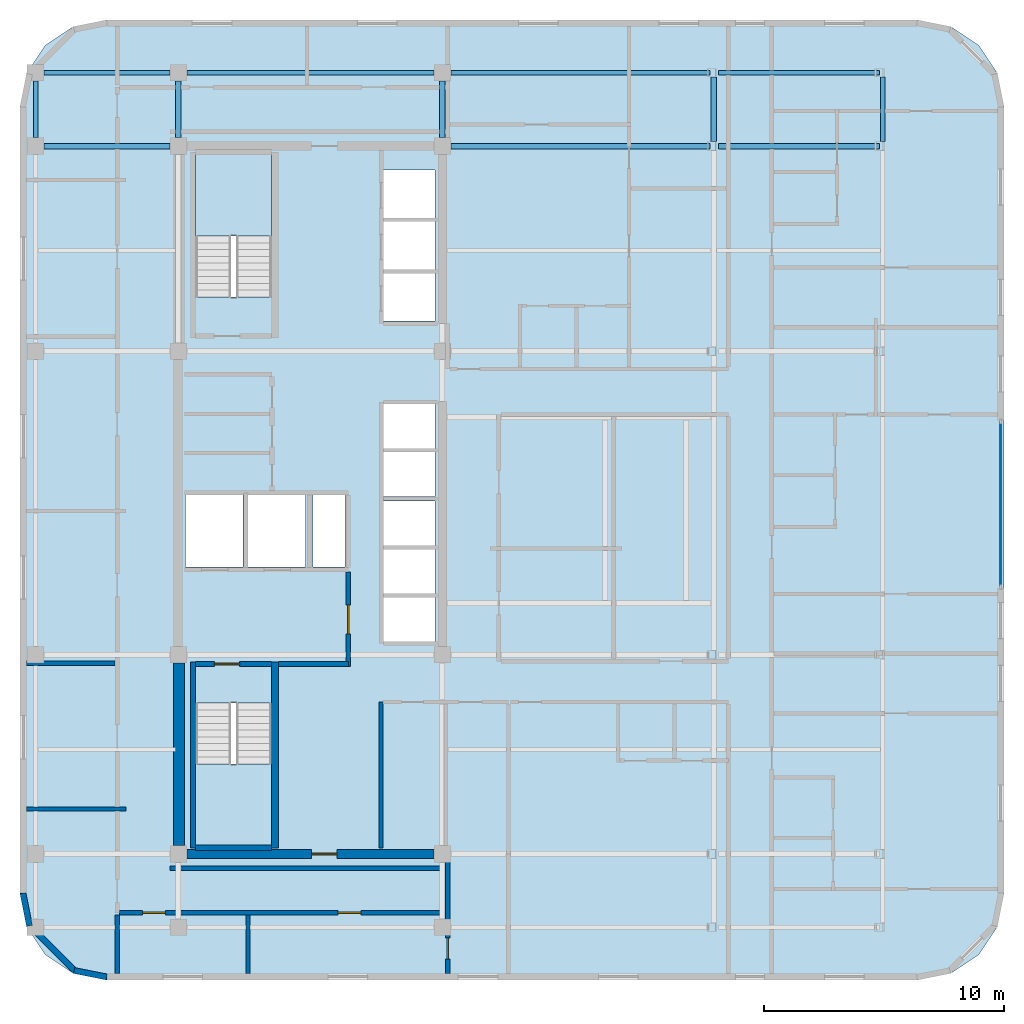
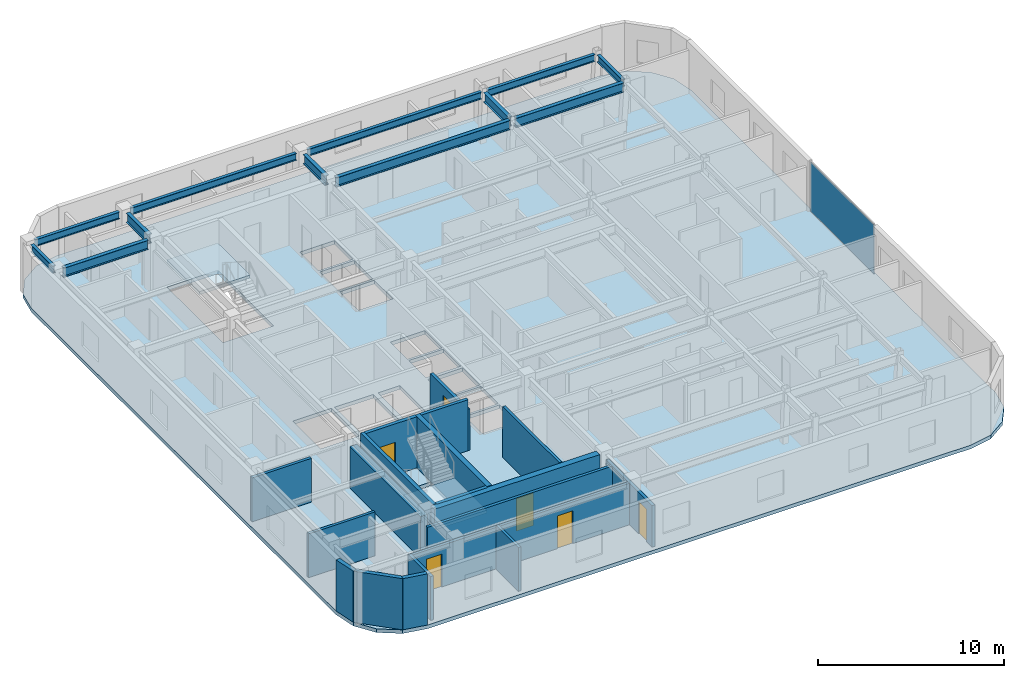
# One storey, part 3 of 9: 19 walls, 12 beams, 6 doors, 3 slabs, 1 plate, 6 openings, 3 elements without a shape of their own.
"""IFC4 building model written with IfcOpenShell, lengths in metres."""

from ifc_helpers import new_model, si_unit, direction, frame, frame_2d, origin, origin_2d, place, context, subcontext, project, spatial, polyline, rectangle, i_section, outline, extrude, material, layer, layer_set, material_profile, profile_set, type_object, element, fill, aggregate, save


model = new_model("IFC4")

# Units and contexts
model_context = context("Model", 3, precision=1e-05, world=origin(), true_north=direction((0.0, 1.0)))
body_context = subcontext(model_context, "Body", "Model", "MODEL_VIEW")
ifc_project = project(units=[si_unit("LENGTHUNIT", "METRE"), si_unit("AREAUNIT", "SQUARE_METRE"), si_unit("VOLUMEUNIT", "CUBIC_METRE"), si_unit("PLANEANGLEUNIT", "RADIAN"), si_unit("MASSUNIT", "GRAM", prefix="KILO")], contexts=[model_context])

# Site, building, storey
site_placement = place(None, origin())
site = spatial("IfcSite", under=ifc_project, at=site_placement, CompositionType="ELEMENT")
building_placement = place(site_placement, origin())
building = spatial("IfcBuilding", under=site, at=building_placement, Name="Ochreholt Gables", CompositionType="ELEMENT")
storey_placement = place(building_placement, frame((0.0, 0.0, 184.800048828125)))
storey = spatial("IfcBuildingStorey", under=building, at=storey_placement, Name="L48", CompositionType="ELEMENT", Elevation=184.800048828125)

# Beams
ifc_material_1 = material(Name="Steel CSA G40.21 350W", Category="steel")
ifc_material_profile_1 = material_profile(ifc_material_1, i_section(OverallWidth=0.22900390625, OverallDepth=0.612060546875, WebThickness=0.011962890625, FlangeThickness=0.01953125, at=origin_2d()), Name="W610X125")
ifc_profile_set_1 = profile_set([ifc_material_profile_1], Name="Steel CSA G40.21 350W")
beam_type_1 = type_object("IfcBeamType", Name="BM-G-W610B", PredefinedType="BEAM", material=ifc_profile_set_1)
beam_1_placement = place(storey_placement, frame((18.599609375, 38.75, 3.053955078125), z_axis=(1.0, 0.0, 0.0), x_axis=(0.0, 1.0, 0.0)))
element("IfcBeam", 1, at=beam_1_placement, inside=storey, type_object=beam_type_1, Name="L48 Beam TBG-L48-W3C1-Y5", PredefinedType="BEAM", context=body_context, shape_type="SweptSolid", body=[
    extrude(i_section(OverallWidth=0.22900390625, OverallDepth=0.612060546875, WebThickness=0.011962890625, FlangeThickness=0.01953125, at=origin_2d()), origin(), (0.0, 0.0, 1.0), 5.250732421875),
])
beam_2_placement = place(storey_placement, frame((35.549560546875, 38.75, 3.053955078125), z_axis=(1.0, 0.0, 0.0), x_axis=(0.0, 1.0, 0.0)))
element("IfcBeam", 2, at=beam_2_placement, inside=storey, type_object=beam_type_1, Name="L48 Beam TBG-L48-C2EM-Y5", PredefinedType="BEAM", context=body_context, shape_type="SweptSolid", body=[
    extrude(i_section(OverallWidth=0.22900390625, OverallDepth=0.612060546875, WebThickness=0.011962890625, FlangeThickness=0.01953125, at=origin_2d()), origin(), (0.0, 0.0, 1.0), 10.802734375),
])
beam_3_placement = place(storey_placement, frame((46.70751953125, 38.75, 3.053955078125), z_axis=(1.0, 0.0, 0.0), x_axis=(0.0, 1.0, 0.0)))
element("IfcBeam", 3, at=beam_3_placement, inside=storey, type_object=beam_type_1, Name="L48 Beam TBG-L48-EMEE-Y5", PredefinedType="BEAM", context=body_context, shape_type="SweptSolid", body=[
    extrude(i_section(OverallWidth=0.22900390625, OverallDepth=0.612060546875, WebThickness=0.011962890625, FlangeThickness=0.01953125, at=origin_2d()), origin(), (0.0, 0.0, 1.0), 6.698974609375),
])
for number, where, z_axis, x_axis, name in (
    (4, (24.199951171875, 39.099609375, 3.053955078125), (0.0, 1.0, 0.0), (-1.0, 0.0, 0.0), "L48 Beam TBN-L48-C1-Y5Y6"),
    (5, (35.199951171875, 39.099609375, 3.053955078125), (0.0, 1.0, 0.0), (-1.0, 0.0, 0.0), "L48 Beam TBN-L48-C2-Y5Y6"),
):
    element("IfcBeam", number, at=place(storey_placement, frame(where, z_axis=z_axis, x_axis=x_axis)), inside=storey, type_object=beam_type_1, Name=name, PredefinedType="BEAM", context=body_context, shape_type="SweptSolid", body=[
        extrude(i_section(OverallWidth=0.22900390625, OverallDepth=0.612060546875, WebThickness=0.011962890625, FlangeThickness=0.01953125, at=origin_2d()), origin(), (0.0, 0.0, 1.0), 2.350830078125),
    ])
beam_4_placement = place(storey_placement, frame((46.512939453125, 38.927490234375, 3.053955078125), z_axis=(0.0, 1.0, 0.0), x_axis=(-1.0, 0.0, 0.0)))
element("IfcBeam", 6, at=beam_4_placement, inside=storey, type_object=beam_type_1, Name="L48 Beam TBN-L48-EM-Y5Y6", PredefinedType="BEAM", context=body_context, shape_type="SweptSolid", body=[
    extrude(i_section(OverallWidth=0.22900390625, OverallDepth=0.612060546875, WebThickness=0.011962890625, FlangeThickness=0.01953125, at=origin_2d()), origin(), (0.0, 0.0, 1.0), 2.69482421875),
])
ifc_material_profile_2 = material_profile(ifc_material_1, i_section(OverallWidth=0.19189453125, OverallDepth=0.462890625, WebThickness=0.010498046875, FlangeThickness=0.017578125, at=origin_2d()), Name="W460X89")
ifc_profile_set_2 = profile_set([ifc_material_profile_2], Name="Steel CSA G40.21 350W")
beam_type_2 = type_object("IfcBeamType", Name="BM-SP-W460A", PredefinedType="SPANDREL", material=ifc_profile_set_2)
beam_5_placement = place(storey_placement, frame((18.599609375, 41.800048828125, 3.12841796875), z_axis=(1.0, 0.0, 0.0), x_axis=(0.0, 1.0, 0.0)))
element("IfcBeam", 7, at=beam_5_placement, inside=storey, type_object=beam_type_2, Name="L48 Beam TBG-L48-W3C1-Y6", PredefinedType="SPANDREL", context=body_context, shape_type="SweptSolid", body=[
    extrude(i_section(OverallWidth=0.19189453125, OverallDepth=0.462890625, WebThickness=0.010498046875, FlangeThickness=0.017578125, at=origin_2d()), origin(), (0.0, 0.0, 1.0), 5.250732421875),
])
beam_6_placement = place(storey_placement, frame((24.549560546875, 41.800048828125, 3.12841796875), z_axis=(1.0, 0.0, 0.0), x_axis=(0.0, 1.0, 0.0)))
element("IfcBeam", 8, at=beam_6_placement, inside=storey, type_object=beam_type_2, Name="L48 Beam TBG-L48-C1C2-Y6", PredefinedType="SPANDREL", context=body_context, shape_type="SweptSolid", body=[
    extrude(i_section(OverallWidth=0.19189453125, OverallDepth=0.462890625, WebThickness=0.010498046875, FlangeThickness=0.017578125, at=origin_2d()), origin(), (0.0, 0.0, 1.0), 10.30078125),
])
beam_7_placement = place(storey_placement, frame((35.549560546875, 41.800048828125, 3.12841796875), z_axis=(1.0, 0.0, 0.0), x_axis=(0.0, 1.0, 0.0)))
element("IfcBeam", 9, at=beam_7_placement, inside=storey, type_object=beam_type_2, Name="L48 Beam TBG-L48-C2EM-Y6", PredefinedType="SPANDREL", context=body_context, shape_type="SweptSolid", body=[
    extrude(i_section(OverallWidth=0.19189453125, OverallDepth=0.462890625, WebThickness=0.010498046875, FlangeThickness=0.017578125, at=origin_2d()), origin(), (0.0, 0.0, 1.0), 10.802734375),
])
beam_8_placement = place(storey_placement, frame((46.70751953125, 41.800048828125, 3.12841796875), z_axis=(1.0, 0.0, 0.0), x_axis=(0.0, 1.0, 0.0)))
element("IfcBeam", 10, at=beam_8_placement, inside=storey, type_object=beam_type_2, Name="L48 Beam TBG-L48-EMEE-Y6", PredefinedType="SPANDREL", context=body_context, shape_type="SweptSolid", body=[
    extrude(i_section(OverallWidth=0.19189453125, OverallDepth=0.462890625, WebThickness=0.010498046875, FlangeThickness=0.017578125, at=origin_2d()), origin(), (0.0, 0.0, 1.0), 6.698974609375),
])
beam_9_placement = place(storey_placement, frame((18.25, 39.099609375, 3.12841796875), z_axis=(0.0, 1.0, 0.0), x_axis=(-1.0, 0.0, 0.0)))
element("IfcBeam", 11, at=beam_9_placement, inside=storey, type_object=beam_type_2, Name="L48 Beam TBN-L48-W3-Y5Y6", PredefinedType="SPANDREL", context=body_context, shape_type="SweptSolid", body=[
    extrude(i_section(OverallWidth=0.19189453125, OverallDepth=0.462890625, WebThickness=0.010498046875, FlangeThickness=0.017578125, at=origin_2d()), origin(), (0.0, 0.0, 1.0), 2.350830078125),
])
beam_10_placement = place(storey_placement, frame((53.5556640625, 38.927490234375, 3.12841796875), z_axis=(0.0, 1.0, 0.0), x_axis=(-1.0, 0.0, 0.0)))
element("IfcBeam", 12, at=beam_10_placement, inside=storey, type_object=beam_type_2, Name="L48 Beam TBN-L48-EE-Y5Y6", PredefinedType="SPANDREL", context=body_context, shape_type="SweptSolid", body=[
    extrude(i_section(OverallWidth=0.19189453125, OverallDepth=0.462890625, WebThickness=0.010498046875, FlangeThickness=0.017578125, at=origin_2d()), origin(), (0.0, 0.0, 1.0), 2.69482421875),
])

# Curtain wall, plate
ifc_material_2 = material(Name="Unitised Aluminium and Triple Glazing", Category="aluminium")
ifc_layer_1 = layer(ifc_material_2, 0.199951171875, Name="Unitised Aluminium and Triple Glazing")
ifc_layer_set_1 = layer_set([ifc_layer_1], Name="Unitised Aluminium and Triple Glazing")
curtain_wall_type = type_object("IfcCurtainWallType", Name="CW-SYS4", PredefinedType="NOTDEFINED", material=ifc_layer_set_1)
curtain_wall_placement = place(storey_placement, origin())
curtain_wall = element("IfcCurtainWall", 13, at=curtain_wall_placement, inside=storey, type_object=curtain_wall_type, Name="L48 East Unitised Curtain Wall", PredefinedType="NOTDEFINED")
ifc_material_3 = material(Name="Triple Low-E Insulating Glass", Category="glass")
ifc_layer_2 = layer(ifc_material_3, 0.035888671875, Name="Triple Low-E Insulating Glass")
ifc_layer_set_2 = layer_set([ifc_layer_2], Name="Triple Low-E Insulating Glass")
plate_type = type_object("IfcPlateType", Name="CW-PNL-36", PredefinedType="CURTAIN_PANEL", material=ifc_layer_set_2)
plate_placement = place(storey_placement, frame((58.4599609375, 23.824951171875, 0.06494140625), z_axis=(0.0, 0.0, 1.0), x_axis=(0.0, 1.0, 0.0)))
plate = element("IfcPlate", 14, at=plate_placement, type_object=plate_type, Name="CW-4 panel 1.1", PredefinedType="CURTAIN_PANEL", context=body_context, shape_type="SweptSolid", body=[
    extrude(rectangle(XDim=6.820068359375, YDim=0.035888671875, at=origin_2d()), origin(), (0.0, 0.0, 1.0), 3.22998046875),
])
aggregate(curtain_wall, [plate])

# Stair, slab
ifc_material_4 = material(Name="Concrete 40 MPa", Category="concrete")
stair_type_1 = type_object("IfcStairType", Name="STAIR-CORE-ST-1", PredefinedType="HALF_TURN_STAIR", material=ifc_material_4)
stair_1_placement = place(storey_placement, origin())
stair_1 = element("IfcStair", 15, at=stair_1_placement, inside=storey, type_object=stair_type_1, Name="L48 Core Exit Stair 1", PredefinedType="HALF_TURN_STAIR")
ifc_layer_3 = layer(ifc_material_4, 0.199951171875, Name="Concrete 40 MPa")
ifc_layer_set_3 = layer_set([ifc_layer_3], Name="Concrete 40 MPa")
slab_type_1 = type_object("IfcSlabType", Name="LANDING-RC200", PredefinedType="LANDING", material=ifc_layer_set_3)
slab_1_placement = place(storey_placement, frame((0.0, 0.0, 1.599853515625)))
slab_1 = element("IfcSlab", 16, at=slab_1_placement, type_object=slab_type_1, Name="ST-1 landing 1", PredefinedType="LANDING", context=body_context, shape_type="SweptSolid", body=[
    extrude(outline(polyline([(24.919921875, 13.001953125), (24.919921875, 9.52001953125), (28.080078125, 9.52001953125), (28.080078125, 13.001953125), (24.919921875, 13.001953125)])), origin(), (0.0, 0.0, 1.0), 0.2001953125),
])
aggregate(stair_1, [slab_1])

stair_type_2 = type_object("IfcStairType", Name="STAIR-CORE-ST-2", PredefinedType="HALF_TURN_STAIR", material=ifc_material_4)
stair_2_placement = place(storey_placement, origin())
stair_2 = element("IfcStair", 17, at=stair_2_placement, inside=storey, type_object=stair_type_2, Name="L48 Core Exit Stair 2", PredefinedType="HALF_TURN_STAIR")
slab_2_placement = place(storey_placement, frame((0.0, 0.0, 1.599853515625)))
slab_2 = element("IfcSlab", 18, at=slab_2_placement, type_object=slab_type_1, Name="ST-2 landing 1", PredefinedType="LANDING", context=body_context, shape_type="SweptSolid", body=[
    extrude(outline(polyline([(28.080078125, 34.998046875), (28.080078125, 38.47998046875), (24.919921875, 38.47998046875), (24.919921875, 34.998046875), (28.080078125, 34.998046875)])), origin(), (0.0, 0.0, 1.0), 0.2001953125),
])
aggregate(stair_2, [slab_2])

# Slab
ifc_layer_4 = layer(ifc_material_4, 0.239990234375, Name="Concrete 40 MPa")
ifc_layer_set_4 = layer_set([ifc_layer_4], Name="Concrete 40 MPa")
slab_type_2 = type_object("IfcSlabType", Name="SLAB-TWR-240", PredefinedType="FLOOR", material=ifc_layer_set_4)
slab_3_placement = place(storey_placement, frame((0.0, 0.0, -0.239990234375)))
element("IfcSlab", 19, at=slab_3_placement, inside=storey, type_object=slab_type_2, Name="L48 Structural Floor Slab", PredefinedType="FLOOR", context=body_context, shape_type="SweptSolid", body=[
    extrude(outline(polyline([(17.60009765625, 7.60009765625), (17.8740234375, 6.222412109375), (18.654296875, 5.054443359375), (19.822265625, 4.27392578125), (21.199951171875, 4.0), (55.0, 4.0), (56.377685546875, 4.27392578125), (57.545654296875, 5.054443359375), (58.325927734375, 6.222412109375), (58.60009765625, 7.60009765625), (58.60009765625, 40.39990234375), (58.325927734375, 41.777587890625), (57.545654296875, 42.945556640625), (56.377685546875, 43.72607421875), (55.0, 44.0), (21.199951171875, 44.0), (19.822265625, 43.72607421875), (18.654296875, 42.945556640625), (17.8740234375, 41.777587890625), (17.60009765625, 40.39990234375), (17.60009765625, 7.60009765625)]), holes=[polyline([(24.919921875, 15.539306640625), (24.919921875, 9.52001953125), (28.080078125, 9.52001953125), (28.080078125, 15.539306640625), (24.919921875, 15.539306640625)]), polyline([(28.080078125, 32.460693359375), (28.080078125, 38.47998046875), (24.919921875, 38.47998046875), (24.919921875, 32.460693359375), (28.080078125, 32.460693359375)]), polyline([(24.5, 21.199951171875), (26.89990234375, 21.199951171875), (26.89990234375, 24.199951171875), (24.5, 24.199951171875), (24.5, 21.199951171875)]), polyline([(27.10009765625, 21.199951171875), (29.5, 21.199951171875), (29.5, 24.199951171875), (27.10009765625, 24.199951171875), (27.10009765625, 21.199951171875)]), polyline([(32.75, 18.10009765625), (34.89990234375, 18.10009765625), (34.89990234375, 19.949951171875), (32.75, 19.949951171875), (32.75, 18.10009765625)]), polyline([(32.75, 20.10009765625), (34.89990234375, 20.10009765625), (34.89990234375, 21.949951171875), (32.75, 21.949951171875), (32.75, 20.10009765625)]), polyline([(32.75, 22.10009765625), (34.89990234375, 22.10009765625), (34.89990234375, 23.949951171875), (32.75, 23.949951171875), (32.75, 22.10009765625)]), polyline([(32.75, 24.14990234375), (34.89990234375, 24.14990234375), (34.89990234375, 26.0), (32.75, 26.0), (32.75, 24.14990234375)]), polyline([(32.75, 26.14990234375), (34.89990234375, 26.14990234375), (34.89990234375, 28.0), (32.75, 28.0), (32.75, 26.14990234375)]), polyline([(32.75, 31.449951171875), (34.89990234375, 31.449951171875), (34.89990234375, 33.449951171875), (32.75, 33.449951171875), (32.75, 31.449951171875)]), polyline([(32.75, 33.60009765625), (34.89990234375, 33.60009765625), (34.89990234375, 35.60009765625), (32.75, 35.60009765625), (32.75, 33.60009765625)]), polyline([(32.75, 35.75), (34.89990234375, 35.75), (34.89990234375, 37.75), (32.75, 37.75), (32.75, 35.75)]), polyline([(29.800048828125, 21.199951171875), (31.14990234375, 21.199951171875), (31.14990234375, 24.199951171875), (29.800048828125, 24.199951171875), (29.800048828125, 21.199951171875)])]), origin(), (0.0, 0.0, 1.0), 0.239990234375),
])

# Wall, opening, door
ifc_material_5 = material(Name="Concrete 50 MPa", Category="concrete")
ifc_layer_5 = layer(ifc_material_5, 0.3798828125, Name="Concrete 50 MPa")
ifc_layer_set_5 = layer_set([ifc_layer_5], Name="Concrete 50 MPa")
wall_type_1 = type_object("IfcWallType", Name="WALL-CSW-380", PredefinedType="SHEAR", material=ifc_layer_set_5)
wall_1_placement = place(storey_placement, frame((24.550048828125, 9.25, 0.0), z_axis=(0.0, 0.0, 1.0), x_axis=(1.0, 0.0, 0.0)))
wall_1 = element("IfcWall", 20, at=wall_1_placement, inside=storey, type_object=wall_type_1, Name="L48 Core South Shear Wall", PredefinedType="SHEAR", context=body_context, shape_type="SweptSolid", body=[
    extrude(rectangle(XDim=10.300048828125, YDim=0.3798828125, at=frame_2d((5.14990234375, 0.0))), origin(), (0.0, 0.0, 1.0), 3.35986328125),
])
opening_1_placement = place(wall_1_placement, frame((5.199951171875, 0.0, 0.0)))
opening_1 = element("IfcOpeningElement", 21, at=opening_1_placement, cuts=wall_1, Name="Opening D-FLB", PredefinedType="OPENING", context=body_context, shape_type="SweptSolid", body=[
    extrude(rectangle(XDim=1.050048828125, YDim=2.14990234375, at=frame_2d((0.52490234375, 1.074951171875))), frame((0.0, 0.199951171875, 0.0), z_axis=(0.0, -1.0, 0.0), x_axis=(1.0, 0.0, 0.0)), (0.0, 0.0, 1.0), 0.39990234375),
])
ifc_material_6 = material(Name="Hollow Metal Steel", Category="steel")
door_type_1 = type_object("IfcDoorType", Name="DR-INT-FLB1050", OperationType="NOTDEFINED", PredefinedType="DOOR", material=ifc_material_6)
door_1_placement = place(opening_1_placement, origin())
door_1 = element("IfcDoor", 22, at=door_1_placement, inside=storey, type_object=door_type_1, Name="L48 Door D-C2CRS-L48", OperationType="SINGLE_SWING_LEFT", OverallHeight=2.14990234375, OverallWidth=1.050048828125, PredefinedType="DOOR", context=body_context, shape_type="SweptSolid", body=[
    extrude(rectangle(XDim=1.050048828125, YDim=2.14990234375, at=frame_2d((0.52490234375, 1.074951171875))), frame((0.0, 0.02490234375, 0.0), z_axis=(0.0, -1.0, 0.0), x_axis=(1.0, 0.0, 0.0)), (0.0, 0.0, 1.0), 0.050048828125),
])
fill(opening_1, door_1)

# Walls
ifc_material_7 = material(Name="Concrete 60 MPa", Category="concrete")
ifc_layer_6 = layer(ifc_material_7, 0.449951171875, Name="Concrete 60 MPa")
ifc_layer_set_6 = layer_set([ifc_layer_6], Name="Concrete 60 MPa")
wall_type_2 = type_object("IfcWallType", Name="WALL-CSW-450", PredefinedType="SHEAR", material=ifc_layer_set_6)
wall_2_placement = place(storey_placement, frame((24.22509765625, 9.60009765625, 0.0), z_axis=(0.0, 0.0, 1.0), x_axis=(0.0, 1.0, 0.0)))
element("IfcWall", 23, at=wall_2_placement, inside=storey, type_object=wall_type_2, Name="L48 Core West Shear Wall WS", PredefinedType="SHEAR", context=body_context, shape_type="SweptSolid", body=[
    extrude(rectangle(XDim=7.599853515625, YDim=0.449951171875, at=frame_2d((3.7998046875, 0.0))), origin(), (0.0, 0.0, 1.0), 2.748046875),
])
ifc_material_8 = material(Name="Precast concrete 40 MPa", Category="concrete")
ifc_layer_7 = layer(ifc_material_8, 0.25, Name="Precast concrete 40 MPa")
ifc_layer_set_7 = layer_set([ifc_layer_7], Name="Precast concrete 40 MPa")
wall_type_3 = type_object("IfcWallType", Name="WALL-EXT-CNR", PredefinedType="SOLIDWALL", material=ifc_layer_set_7)
wall_3_placement = place(storey_placement, frame((17.72412109375, 7.616455078125, 0.0), z_axis=(0.0, 0.0, 1.0), x_axis=(0.195135625965, -0.9807762678, 0.0)))
element("IfcWall", 24, at=wall_3_placement, inside=storey, type_object=wall_type_3, Name="L48 Rounded Corner Wall SW-1", PredefinedType="SOLIDWALL", context=body_context, shape_type="SweptSolid", body=[
    extrude(rectangle(XDim=1.388671875, YDim=0.25, at=frame_2d((0.6943359375, 0.0))), origin(), (0.0, 0.0, 1.0), 3.35986328125),
])
wall_4_placement = place(storey_placement, frame((17.968017578125, 6.304931640625, 0.0), z_axis=(0.0, 0.0, 1.0), x_axis=(0.707106781187, -0.707106781187, 0.0)))
element("IfcWall", 25, at=wall_4_placement, inside=storey, type_object=wall_type_3, Name="L48 Rounded Corner Wall SW-2", PredefinedType="SOLIDWALL", context=body_context, shape_type="SweptSolid", body=[
    extrude(rectangle(XDim=2.7392578125, YDim=0.25, at=frame_2d((1.36962890625, 0.0))), origin(), (0.0, 0.0, 1.0), 3.35986328125),
])
wall_5_placement = place(storey_placement, frame((19.8544921875, 4.39501953125, 0.0), z_axis=(0.0, 0.0, 1.0), x_axis=(0.980809899341, -0.19496651342, 0.0)))
element("IfcWall", 26, at=wall_5_placement, inside=storey, type_object=wall_type_3, Name="L48 Rounded Corner Wall SW-3", PredefinedType="SOLIDWALL", context=body_context, shape_type="SweptSolid", body=[
    extrude(rectangle(XDim=1.388671875, YDim=0.25, at=frame_2d((0.6943359375, 0.0))), origin(), (0.0, 0.0, 1.0), 3.35986328125),
])
ifc_layer_8 = layer(ifc_material_4, 0.199951171875, Name="Concrete 40 MPa")
ifc_layer_set_8 = layer_set([ifc_layer_8], Name="Concrete 40 MPa")
wall_type_4 = type_object("IfcWallType", Name="WALL-INT-CF200", PredefinedType="STANDARD", material=ifc_layer_set_8)
wall_6_placement = place(storey_placement, frame((28.3798828125, 17.169921875, 0.0), z_axis=(0.0, 0.0, 1.0), x_axis=(1.0, 0.0, 0.0)))
element("IfcWall", 27, at=wall_6_placement, inside=storey, type_object=wall_type_4, Name="L48 Interior Wall WI-FFS-L48", PredefinedType="STANDARD", context=body_context, shape_type="SweptSolid", body=[
    extrude(rectangle(XDim=2.900146484375, YDim=0.199951171875, at=frame_2d((1.4501953125, 0.0))), origin(), (0.0, 0.0, 1.0), 3.35986328125),
])

# Wall, opening, door
wall_7_placement = place(storey_placement, frame((31.280029296875, 17.070068359375, 0.0), z_axis=(0.0, 0.0, 1.0), x_axis=(0.0, 1.0, 0.0)))
wall_7 = element("IfcWall", 28, at=wall_7_placement, inside=storey, type_object=wall_type_4, Name="L48 Interior Wall WI-FFE-L48", PredefinedType="STANDARD", context=body_context, shape_type="SweptSolid", body=[
    extrude(rectangle(XDim=3.919921875, YDim=0.199951171875, at=frame_2d((1.9599609375, 0.0))), origin(), (0.0, 0.0, 1.0), 2.72998046875),
])
opening_2_placement = place(wall_7_placement, frame((1.35009765625, 0.0, 0.0)))
opening_2 = element("IfcOpeningElement", 29, at=opening_2_placement, cuts=wall_7, Name="Opening D-FFL", PredefinedType="OPENING", context=body_context, shape_type="SweptSolid", body=[
    extrude(rectangle(XDim=1.199951171875, YDim=2.14990234375, at=frame_2d((0.60009765625, 1.074951171875))), frame((0.0, 0.10986328125, 0.0), z_axis=(0.0, -1.0, 0.0), x_axis=(1.0, 0.0, 0.0)), (0.0, 0.0, 1.0), 0.219970703125),
])
door_type_2 = type_object("IfcDoorType", Name="DR-INT-FFL1200", OperationType="NOTDEFINED", PredefinedType="DOOR", material=ifc_material_6)
door_2_placement = place(opening_2_placement, origin())
door_2 = element("IfcDoor", 30, at=door_2_placement, inside=storey, type_object=door_type_2, Name="L48 Door D-FFL-L48", OperationType="SINGLE_SWING_LEFT", OverallHeight=2.14990234375, OverallWidth=1.199951171875, PredefinedType="DOOR", context=body_context, shape_type="SweptSolid", body=[
    extrude(rectangle(XDim=1.199951171875, YDim=2.14990234375, at=frame_2d((0.60009765625, 1.074951171875))), frame((0.0, 0.02490234375, 0.0), z_axis=(0.0, -1.0, 0.0), x_axis=(1.0, 0.0, 0.0)), (0.0, 0.0, 1.0), 0.050048828125),
])
fill(opening_2, door_2)

# Wall, openings, doors
ifc_material_9 = material(Name="Fire-Rated Gypsum Acoustic Partition", Category="gypsum")
ifc_layer_9 = layer(ifc_material_9, 0.179931640625, Name="Fire-Rated Gypsum Acoustic Partition")
ifc_layer_set_9 = layer_set([ifc_layer_9], Name="Fire-Rated Gypsum Acoustic Partition")
wall_type_5 = type_object("IfcWallType", Name="WALL-INT-CR180", PredefinedType="STANDARD", material=ifc_layer_set_9)
wall_8_placement = place(storey_placement, frame((21.739990234375, 6.800048828125, 0.0), z_axis=(0.0, 0.0, 1.0), x_axis=(1.0, 0.0, 0.0)))
wall_8 = element("IfcWall", 31, at=wall_8_placement, inside=storey, type_object=wall_type_5, Name="L48 Interior Wall WI-C2WCS-L48", PredefinedType="STANDARD", context=body_context, shape_type="SweptSolid", body=[
    extrude(rectangle(XDim=13.679931640625, YDim=0.179931640625, at=frame_2d((6.83984375, 0.0))), origin(), (0.0, 0.0, 1.0), 2.72998046875),
])
opening_3_placement = place(wall_8_placement, frame((0.969970703125, 0.0, 0.0)))
opening_3 = element("IfcOpeningElement", 32, at=opening_3_placement, cuts=wall_8, Name="Opening D-GN1", PredefinedType="OPENING", context=body_context, shape_type="SweptSolid", body=[
    extrude(rectangle(XDim=0.949951171875, YDim=2.14990234375, at=frame_2d((0.47509765625, 1.074951171875))), frame((0.0, 0.099853515625, 0.0), z_axis=(0.0, -1.0, 0.0), x_axis=(1.0, 0.0, 0.0)), (0.0, 0.0, 1.0), 0.199951171875),
])
opening_4_placement = place(wall_8_placement, frame((9.110107421875, 0.0, 0.0)))
opening_4 = element("IfcOpeningElement", 33, at=opening_4_placement, cuts=wall_8, Name="Opening D-GN1", PredefinedType="OPENING", context=body_context, shape_type="SweptSolid", body=[
    extrude(rectangle(XDim=0.949951171875, YDim=2.14990234375, at=frame_2d((0.47509765625, 1.074951171875))), frame((0.0, 0.099853515625, 0.0), z_axis=(0.0, -1.0, 0.0), x_axis=(1.0, 0.0, 0.0)), (0.0, 0.0, 1.0), 0.199951171875),
])
ifc_material_10 = material(Name="Engineered Oak Timber", Category="wood")
door_type_3 = type_object("IfcDoorType", Name="DR-INT-GEN950", OperationType="NOTDEFINED", PredefinedType="DOOR", material=ifc_material_10)
door_3_placement = place(opening_3_placement, origin())
door_3 = element("IfcDoor", 34, at=door_3_placement, inside=storey, type_object=door_type_3, Name="L48 Door D-C2STL1-L48", OperationType="SINGLE_SWING_LEFT", OverallHeight=2.14990234375, OverallWidth=0.949951171875, PredefinedType="DOOR", context=body_context, shape_type="SweptSolid", body=[
    extrude(rectangle(XDim=0.949951171875, YDim=2.14990234375, at=frame_2d((0.47509765625, 1.074951171875))), frame((0.0, 0.02490234375, 0.0), z_axis=(0.0, -1.0, 0.0), x_axis=(1.0, 0.0, 0.0)), (0.0, 0.0, 1.0), 0.050048828125),
])
fill(opening_3, door_3)
door_4_placement = place(opening_4_placement, origin())
door_4 = element("IfcDoor", 35, at=door_4_placement, inside=storey, type_object=door_type_3, Name="L48 Door D-C2STL2-L48", OperationType="SINGLE_SWING_RIGHT", OverallHeight=2.14990234375, OverallWidth=0.949951171875, PredefinedType="DOOR", context=body_context, shape_type="SweptSolid", body=[
    extrude(rectangle(XDim=0.949951171875, YDim=2.14990234375, at=frame_2d((0.47509765625, 1.074951171875))), frame((0.0, 0.02490234375, 0.0), z_axis=(0.0, -1.0, 0.0), x_axis=(1.0, 0.0, 0.0)), (0.0, 0.0, 1.0), 0.050048828125),
])
fill(opening_4, door_4)

# Walls
wall_9_placement = place(storey_placement, frame((23.85009765625, 8.64990234375, 0.0), z_axis=(0.0, 0.0, 1.0), x_axis=(1.0, 0.0, 0.0)))
element("IfcWall", 36, at=wall_9_placement, inside=storey, type_object=wall_type_5, Name="L48 Interior Wall WI-C2WCS2-L48", PredefinedType="STANDARD", context=body_context, shape_type="SweptSolid", body=[
    extrude(rectangle(XDim=11.56982421875, YDim=0.179931640625, at=frame_2d((5.784912109375, 0.0))), origin(), (0.0, 0.0, 1.0), 2.72998046875),
])
ifc_material_11 = material(Name="Double-Stud Acoustic Demising Wall", Category="gypsum")
ifc_layer_10 = layer(ifc_material_11, 0.179931640625, Name="Double-Stud Acoustic Demising Wall")
ifc_layer_set_10 = layer_set([ifc_layer_10], Name="Double-Stud Acoustic Demising Wall")
wall_type_6 = type_object("IfcWallType", Name="WALL-INT-DM180", PredefinedType="PARTITIONING", material=ifc_layer_set_10)
wall_10_placement = place(storey_placement, frame((21.64990234375, 4.280029296875, 0.0), z_axis=(0.0, 0.0, 1.0), x_axis=(0.0, 1.0, 0.0)))
element("IfcWall", 37, at=wall_10_placement, inside=storey, type_object=wall_type_6, Name="L48 Interior Wall WI-C2WWS-L48", PredefinedType="PARTITIONING", context=body_context, shape_type="SweptSolid", body=[
    extrude(rectangle(XDim=2.429931640625, YDim=0.179931640625, at=frame_2d((1.21484375, 0.0))), origin(), (0.0, 0.0, 1.0), 2.87890625),
])

# Wall, opening, door
wall_11_placement = place(storey_placement, frame((35.419921875, 4.280029296875, 0.0), z_axis=(0.0, 0.0, 1.0), x_axis=(0.0, 1.0, 0.0)))
wall_11 = element("IfcWall", 38, at=wall_11_placement, inside=storey, type_object=wall_type_6, Name="L48 Interior Wall WI-C2SES-L48", PredefinedType="PARTITIONING", context=body_context, shape_type="SweptSolid", body=[
    extrude(rectangle(XDim=4.969970703125, YDim=0.179931640625, at=frame_2d((2.48486328125, 0.0))), origin(), (0.0, 0.0, 1.0), 2.72998046875),
])
opening_5_placement = place(wall_11_placement, frame((0.590087890625, 0.0, 0.0)))
opening_5 = element("IfcOpeningElement", 39, at=opening_5_placement, cuts=wall_11, Name="Opening D-GN2", PredefinedType="OPENING", context=body_context, shape_type="SweptSolid", body=[
    extrude(rectangle(XDim=0.8798828125, YDim=2.1201171875, at=frame_2d((0.43994140625, 1.06005859375))), frame((0.0, 0.099853515625, 0.0), z_axis=(0.0, -1.0, 0.0), x_axis=(1.0, 0.0, 0.0)), (0.0, 0.0, 1.0), 0.199951171875),
])
door_type_4 = type_object("IfcDoorType", Name="DR-INT-GEN880", OperationType="NOTDEFINED", PredefinedType="DOOR", material=ifc_material_10)
door_5_placement = place(opening_5_placement, origin())
door_5 = element("IfcDoor", 40, at=door_5_placement, inside=storey, type_object=door_type_4, Name="L48 Door D-C2SPS-L48", OperationType="SINGLE_SWING_LEFT", OverallHeight=2.1201171875, OverallWidth=0.8798828125, PredefinedType="DOOR", context=body_context, shape_type="SweptSolid", body=[
    extrude(rectangle(XDim=0.8798828125, YDim=2.1201171875, at=frame_2d((0.43994140625, 1.06005859375))), frame((0.0, 0.02490234375, 0.0), z_axis=(0.0, -1.0, 0.0), x_axis=(1.0, 0.0, 0.0)), (0.0, 0.0, 1.0), 0.050048828125),
])
fill(opening_5, door_5)

# Walls
wall_12_placement = place(storey_placement, frame((17.8798828125, 17.199951171875, 0.0), z_axis=(0.0, 0.0, 1.0), x_axis=(1.0, 0.0, 0.0)))
element("IfcWall", 41, at=wall_12_placement, inside=storey, type_object=wall_type_6, Name="L48 Interior Wall WI-C2UDW2-L48", PredefinedType="PARTITIONING", context=body_context, shape_type="SweptSolid", body=[
    extrude(rectangle(XDim=3.68017578125, YDim=0.179931640625, at=frame_2d((1.840087890625, 0.0))), origin(), (0.0, 0.0, 1.0), 2.87890625),
])
ifc_material_12 = material(Name="Gypsum Acoustic Stud Partition", Category="gypsum")
ifc_layer_11 = layer(ifc_material_12, 0.1650390625, Name="Gypsum Acoustic Stud Partition")
ifc_layer_set_11 = layer_set([ifc_layer_11], Name="Gypsum Acoustic Stud Partition")
wall_type_7 = type_object("IfcWallType", Name="WALL-INT-PT165", PredefinedType="PARTITIONING", material=ifc_layer_set_11)
wall_13_placement = place(storey_placement, frame((32.64990234375, 9.5, 0.0), z_axis=(0.0, 0.0, 1.0), x_axis=(0.0, 1.0, 0.0)))
element("IfcWall", 42, at=wall_13_placement, inside=storey, type_object=wall_type_7, Name="L48 Interior Wall WI-RCL-W-L48", PredefinedType="PARTITIONING", context=body_context, shape_type="SweptSolid", body=[
    extrude(rectangle(XDim=6.080078125, YDim=0.1650390625, at=frame_2d((3.0400390625, 0.0))), origin(), (0.0, 0.0, 1.0), 3.35986328125),
])
wall_14_placement = place(storey_placement, frame((17.8798828125, 11.125, 0.0), z_axis=(0.0, 0.0, 1.0), x_axis=(1.0, 0.0, 0.0)))
element("IfcWall", 43, at=wall_14_placement, inside=storey, type_object=wall_type_7, Name="L48 Interior Wall WU-L48W1-SDV", PredefinedType="PARTITIONING", context=body_context, shape_type="SweptSolid", body=[
    extrude(rectangle(XDim=4.130126953125, YDim=0.1650390625, at=frame_2d((2.06494140625, 0.0))), origin(), (0.0, 0.0, 1.0), 2.87890625),
])
wall_15_placement = place(storey_placement, frame((27.10009765625, 4.280029296875, 0.0), z_axis=(0.0, 0.0, 1.0), x_axis=(0.0, 1.0, 0.0)))
element("IfcWall", 44, at=wall_15_placement, inside=storey, type_object=wall_type_7, Name="L48 Interior Wall WI-C2PKS-L48", PredefinedType="PARTITIONING", context=body_context, shape_type="SweptSolid", body=[
    extrude(rectangle(XDim=2.429931640625, YDim=0.1650390625, at=frame_2d((1.21484375, 0.0))), origin(), (0.0, 0.0, 1.0), 2.87890625),
])
ifc_layer_12 = layer(ifc_material_7, 0.300048828125, Name="Concrete 60 MPa")
ifc_layer_set_12 = layer_set([ifc_layer_12], Name="Concrete 60 MPa")
wall_type_8 = type_object("IfcWallType", Name="WALL-SPN-300", PredefinedType="SHEAR", material=ifc_layer_set_12)
wall_16_placement = place(storey_placement, frame((28.22998046875, 9.5, 0.0), z_axis=(0.0, 0.0, 1.0), x_axis=(0.0, 1.0, 0.0)))
element("IfcWall", 45, at=wall_16_placement, inside=storey, type_object=wall_type_8, Name="L48 Core South Spine Shear Wall", PredefinedType="SHEAR", context=body_context, shape_type="SweptSolid", body=[
    extrude(rectangle(XDim=7.760009765625, YDim=0.300048828125, at=frame_2d((3.8798828125, 0.0))), origin(), (0.0, 0.0, 1.0), 3.35986328125),
])
ifc_layer_13 = layer(ifc_material_5, 0.219970703125, Name="Concrete 50 MPa")
ifc_layer_set_13 = layer_set([ifc_layer_13], Name="Concrete 50 MPa")
wall_type_9 = type_object("IfcWallType", Name="WALL-STW-220", PredefinedType="SHEAR", material=ifc_layer_set_13)
wall_17_placement = place(storey_placement, frame((24.81005859375, 9.5, 0.0), z_axis=(0.0, 0.0, 1.0), x_axis=(0.0, 1.0, 0.0)))
element("IfcWall", 46, at=wall_17_placement, inside=storey, type_object=wall_type_9, Name="L48 Exit Stair 1 West Wall", PredefinedType="SHEAR", context=body_context, shape_type="SweptSolid", body=[
    extrude(rectangle(XDim=7.760009765625, YDim=0.219970703125, at=frame_2d((3.8798828125, 0.0))), origin(), (0.0, 0.0, 1.0), 3.35986328125),
])
wall_18_placement = place(storey_placement, frame((24.919921875, 9.510009765625, 0.0), z_axis=(0.0, 0.0, 1.0), x_axis=(1.0, 0.0, 0.0)))
element("IfcWall", 47, at=wall_18_placement, inside=storey, type_object=wall_type_9, Name="L48 Exit Stair 1 South Wall", PredefinedType="SHEAR", context=body_context, shape_type="SweptSolid", body=[
    extrude(rectangle(XDim=3.16015625, YDim=0.219970703125, at=frame_2d((1.580078125, 0.0))), origin(), (0.0, 0.0, 1.0), 3.35986328125),
])

# Wall, opening, door
wall_19_placement = place(storey_placement, frame((24.919921875, 17.169921875, 0.0), z_axis=(0.0, 0.0, 1.0), x_axis=(1.0, 0.0, 0.0)))
wall_19 = element("IfcWall", 48, at=wall_19_placement, inside=storey, type_object=wall_type_9, Name="L48 Exit Stair 1 North Wall", PredefinedType="SHEAR", context=body_context, shape_type="SweptSolid", body=[
    extrude(rectangle(XDim=3.16015625, YDim=0.219970703125, at=frame_2d((1.580078125, 0.0))), origin(), (0.0, 0.0, 1.0), 3.35986328125),
])
opening_6_placement = place(wall_19_placement, frame((0.780029296875, 0.0, 0.0)))
opening_6 = element("IfcOpeningElement", 49, at=opening_6_placement, cuts=wall_19, Name="Opening D-STC", PredefinedType="OPENING", context=body_context, shape_type="SweptSolid", body=[
    extrude(rectangle(XDim=1.050048828125, YDim=2.14990234375, at=frame_2d((0.52490234375, 1.074951171875))), frame((0.0, 0.119873046875, 0.0), z_axis=(0.0, -1.0, 0.0), x_axis=(1.0, 0.0, 0.0)), (0.0, 0.0, 1.0), 0.239990234375),
])
door_type_5 = type_object("IfcDoorType", Name="DR-INT-ST1050", OperationType="NOTDEFINED", PredefinedType="DOOR", material=ifc_material_6)
door_6_placement = place(opening_6_placement, frame((1.050048828125, 0.0, 0.0), z_axis=(0.0, 0.0, 1.0), x_axis=(-1.0, 0.0, 0.0)))
door_6 = element("IfcDoor", 50, at=door_6_placement, inside=storey, type_object=door_type_5, Name="L48 Door D-ST1-L48", OperationType="SINGLE_SWING_LEFT", OverallHeight=2.14990234375, OverallWidth=1.050048828125, PredefinedType="DOOR", context=body_context, shape_type="SweptSolid", body=[
    extrude(rectangle(XDim=1.050048828125, YDim=2.14990234375, at=frame_2d((0.52490234375, 1.074951171875))), frame((0.0, 0.02490234375, 0.0), z_axis=(0.0, -1.0, 0.0), x_axis=(1.0, 0.0, 0.0)), (0.0, 0.0, 1.0), 0.050048828125),
])
fill(opening_6, door_6)

save(model, "model.ifc")
